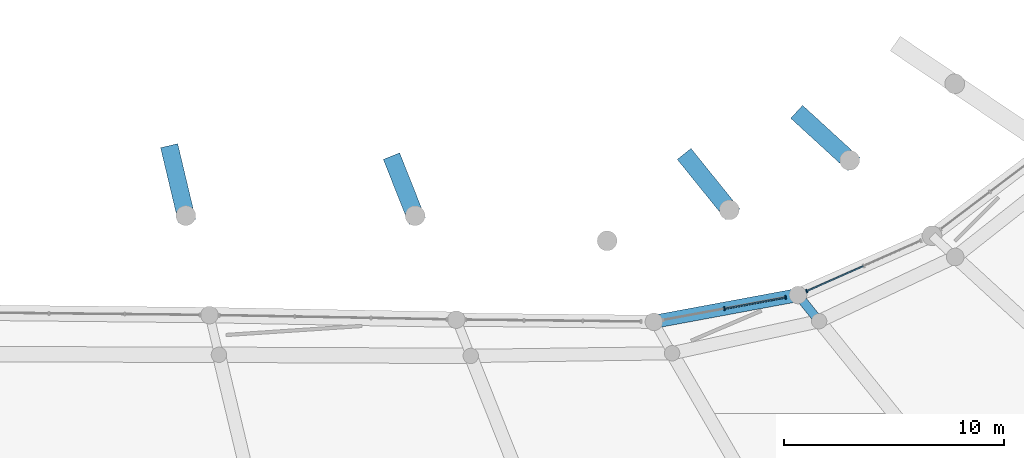
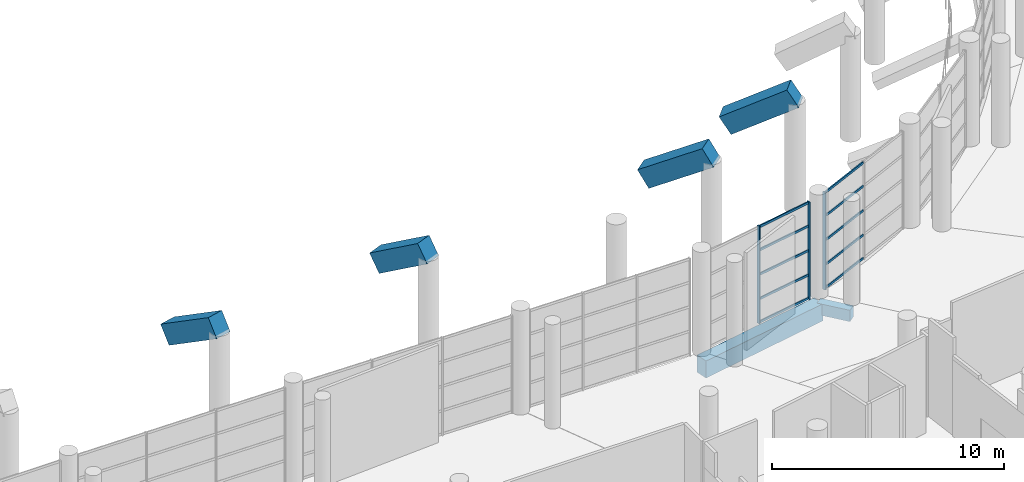
# One storey, part 45 of 271: 13 members, 6 beams, 2 elements without a shape of their own.
"""IFC4 building model written with IfcOpenShell, lengths in metres."""

from ifc_helpers import new_model, si_unit, direction, frame, origin, origin_2d, place, context, subcontext, project, spatial, rectangle, extrude, material, layer, layer_set, material_profile, profile_set, type_object, element, aggregate, save


model = new_model("IFC4")

# Units and contexts
model_context = context("Model", 3, precision=1e-05, world=origin(), true_north=direction((0.0, 1.0)))
body_context = subcontext(model_context, "Body", "Model", "MODEL_VIEW")
ifc_project = project(units=[si_unit("LENGTHUNIT", "METRE"), si_unit("AREAUNIT", "SQUARE_METRE"), si_unit("VOLUMEUNIT", "CUBIC_METRE"), si_unit("PLANEANGLEUNIT", "RADIAN"), si_unit("MASSUNIT", "GRAM", prefix="KILO")], contexts=[model_context])

# Site, building, storey
site_placement = place(None, origin())
site = spatial("IfcSite", under=ifc_project, at=site_placement, CompositionType="ELEMENT")
building_placement = place(site_placement, origin())
building = spatial("IfcBuilding", under=site, at=building_placement, Name="Meseta Stadium", CompositionType="ELEMENT")
storey_placement = place(building_placement, frame((0.0, 0.0, 6.5)))
storey = spatial("IfcBuildingStorey", under=building, at=storey_placement, Name="L01", CompositionType="ELEMENT", Elevation=6.5)

# Curtain wall, members
ifc_material_1 = material(Name="Aluminium", Category="aluminium")
ifc_layer = layer(ifc_material_1, 0.199951171875)
ifc_layer_set = layer_set([ifc_layer], Name="Club glazing curtain wall")
curtain_wall_type = type_object("IfcCurtainWallType", Name="Club glazing curtain wall", PredefinedType="NOTDEFINED", material=ifc_layer_set)
curtain_wall_1_placement = place(storey_placement, origin())
curtain_wall_1 = element("IfcCurtainWall", 1, at=curtain_wall_1_placement, inside=storey, type_object=curtain_wall_type, Name="Club glazing bay 50", PredefinedType="NOTDEFINED")
ifc_material_2 = material(Name="Aluminium", Category="aluminium")
ifc_material_profile_1 = material_profile(ifc_material_2, rectangle(XDim=0.159912109375, YDim=0.06005859375, at=origin_2d()), Name="CW 160x60")
ifc_profile_set_1 = profile_set([ifc_material_profile_1], Name="Aluminium")
member_type_1 = type_object("IfcMemberType", Name="CW mullion 60x160", PredefinedType="MULLION", material=ifc_profile_set_1)
member_1_placement = place(storey_placement, frame((40.087158203125, -75.23828125, 0.0), z_axis=(0.0, 0.0, 1.0), x_axis=(-0.182600324962, 0.983187225977, 0.0)))
member_1 = element("IfcMember", 2, at=member_1_placement, type_object=member_type_1, Name="CWC mullion 2", PredefinedType="MULLION", context=body_context, shape_type="SweptSolid", body=[
    extrude(rectangle(XDim=0.159912109375, YDim=0.06005859375, at=origin_2d()), origin(), (0.0, 0.0, 1.0), 5.14990234375),
])
member_2_placement = place(storey_placement, frame((42.86572265625, -74.722412109375, 0.0), z_axis=(0.0, 0.0, 1.0), x_axis=(-0.182600324962, 0.983187225977, 0.0)))
member_2 = element("IfcMember", 3, at=member_2_placement, type_object=member_type_1, Name="CWC mullion 3", PredefinedType="MULLION", context=body_context, shape_type="SweptSolid", body=[
    extrude(rectangle(XDim=0.159912109375, YDim=0.06005859375, at=origin_2d()), origin(), (0.0, 0.0, 1.0), 5.14990234375),
])

# Curtain wall, member
curtain_wall_2_placement = place(storey_placement, origin())
curtain_wall_2 = element("IfcCurtainWall", 4, at=curtain_wall_2_placement, inside=storey, type_object=curtain_wall_type, Name="Club glazing bay 51", PredefinedType="NOTDEFINED")
member_3_placement = place(storey_placement, frame((43.823486328125, -74.443603515625, 0.0), z_axis=(0.0, 0.0, 1.0), x_axis=(-0.40452428424, 0.914527256817, 0.0)))
member_3 = element("IfcMember", 5, at=member_3_placement, type_object=member_type_1, Name="CWC mullion 1", PredefinedType="MULLION", context=body_context, shape_type="SweptSolid", body=[
    extrude(rectangle(XDim=0.159912109375, YDim=0.06005859375, at=origin_2d()), origin(), (0.0, 0.0, 1.0), 5.14990234375),
])

# Member
ifc_material_3 = material(Name="Aluminium", Category="aluminium")
ifc_material_profile_2 = material_profile(ifc_material_3, rectangle(XDim=0.06005859375, YDim=0.1201171875, at=origin_2d()), Name="CW 60x120")
ifc_profile_set_2 = profile_set([ifc_material_profile_2], Name="Aluminium")
member_type_2 = type_object("IfcMemberType", Name="CW transom 60x120", PredefinedType="USERDEFINED", material=ifc_profile_set_2)
member_4_placement = place(storey_placement, frame((40.116455078125, -75.23291015625, 0.06005859375), z_axis=(0.983186472546, 0.182604381661, 0.0), x_axis=(-0.182604381661, 0.983186472546, 0.0)))
member_4 = element("IfcMember", 6, at=member_4_placement, type_object=member_type_2, Name="CWC transom 2.1", ObjectType="TRANSOM", PredefinedType="USERDEFINED", context=body_context, shape_type="SweptSolid", body=[
    extrude(rectangle(XDim=0.06005859375, YDim=0.1201171875, at=origin_2d()), origin(), (0.0, 0.0, 1.0), 2.766357421875),
])

member_5_placement = place(storey_placement, frame((40.116455078125, -75.23291015625, 1.28759765625), z_axis=(0.983186472546, 0.182604381661, 0.0), x_axis=(-0.182604381661, 0.983186472546, 0.0)))
member_5 = element("IfcMember", 7, at=member_5_placement, type_object=member_type_2, Name="CWC transom 2.2", ObjectType="TRANSOM", PredefinedType="USERDEFINED", context=body_context, shape_type="SweptSolid", body=[
    extrude(rectangle(XDim=0.06005859375, YDim=0.1201171875, at=origin_2d()), origin(), (0.0, 0.0, 1.0), 2.766357421875),
])

member_6_placement = place(storey_placement, frame((40.116455078125, -75.23291015625, 2.574951171875), z_axis=(0.983186472546, 0.182604381661, 0.0), x_axis=(-0.182604381661, 0.983186472546, 0.0)))
member_6 = element("IfcMember", 8, at=member_6_placement, type_object=member_type_2, Name="CWC transom 2.3", ObjectType="TRANSOM", PredefinedType="USERDEFINED", context=body_context, shape_type="SweptSolid", body=[
    extrude(rectangle(XDim=0.06005859375, YDim=0.1201171875, at=origin_2d()), origin(), (0.0, 0.0, 1.0), 2.766357421875),
])

member_7_placement = place(storey_placement, frame((40.116455078125, -75.23291015625, 3.862548828125), z_axis=(0.983186472546, 0.182604381661, 0.0), x_axis=(-0.182604381661, 0.983186472546, 0.0)))
member_7 = element("IfcMember", 9, at=member_7_placement, type_object=member_type_2, Name="CWC transom 2.4", ObjectType="TRANSOM", PredefinedType="USERDEFINED", context=body_context, shape_type="SweptSolid", body=[
    extrude(rectangle(XDim=0.06005859375, YDim=0.1201171875, at=origin_2d()), origin(), (0.0, 0.0, 1.0), 2.766357421875),
])

member_8_placement = place(storey_placement, frame((40.116455078125, -75.23291015625, 5.090087890625), z_axis=(0.983186472546, 0.182604381661, 0.0), x_axis=(-0.182604381661, 0.983186472546, 0.0)))
member_8 = element("IfcMember", 10, at=member_8_placement, type_object=member_type_2, Name="CWC transom 2.5", ObjectType="TRANSOM", PredefinedType="USERDEFINED", context=body_context, shape_type="SweptSolid", body=[
    extrude(rectangle(XDim=0.06005859375, YDim=0.1201171875, at=origin_2d()), origin(), (0.0, 0.0, 1.0), 2.766357421875),
])

aggregate(curtain_wall_1, [member_1, member_2, member_4, member_5, member_6, member_7, member_8])

member_9_placement = place(storey_placement, frame((43.850830078125, -74.431396484375, 0.06005859375), z_axis=(0.914545969516, 0.404481976905, 0.0), x_axis=(-0.404481976905, 0.914545969516, 0.0)))
member_9 = element("IfcMember", 11, at=member_9_placement, type_object=member_type_2, Name="CWC transom 1.1", ObjectType="TRANSOM", PredefinedType="USERDEFINED", context=body_context, shape_type="SweptSolid", body=[
    extrude(rectangle(XDim=0.06005859375, YDim=0.1201171875, at=origin_2d()), origin(), (0.0, 0.0, 1.0), 2.777099609375),
])

member_10_placement = place(storey_placement, frame((43.850830078125, -74.431396484375, 1.28759765625), z_axis=(0.914545969516, 0.404481976905, 0.0), x_axis=(-0.404481976905, 0.914545969516, 0.0)))
member_10 = element("IfcMember", 12, at=member_10_placement, type_object=member_type_2, Name="CWC transom 1.2", ObjectType="TRANSOM", PredefinedType="USERDEFINED", context=body_context, shape_type="SweptSolid", body=[
    extrude(rectangle(XDim=0.06005859375, YDim=0.1201171875, at=origin_2d()), origin(), (0.0, 0.0, 1.0), 2.777099609375),
])

member_11_placement = place(storey_placement, frame((43.850830078125, -74.431396484375, 2.574951171875), z_axis=(0.914545969516, 0.404481976905, 0.0), x_axis=(-0.404481976905, 0.914545969516, 0.0)))
member_11 = element("IfcMember", 13, at=member_11_placement, type_object=member_type_2, Name="CWC transom 1.3", ObjectType="TRANSOM", PredefinedType="USERDEFINED", context=body_context, shape_type="SweptSolid", body=[
    extrude(rectangle(XDim=0.06005859375, YDim=0.1201171875, at=origin_2d()), origin(), (0.0, 0.0, 1.0), 2.777099609375),
])

member_12_placement = place(storey_placement, frame((43.850830078125, -74.431396484375, 3.862548828125), z_axis=(0.914545969516, 0.404481976905, 0.0), x_axis=(-0.404481976905, 0.914545969516, 0.0)))
member_12 = element("IfcMember", 14, at=member_12_placement, type_object=member_type_2, Name="CWC transom 1.4", ObjectType="TRANSOM", PredefinedType="USERDEFINED", context=body_context, shape_type="SweptSolid", body=[
    extrude(rectangle(XDim=0.06005859375, YDim=0.1201171875, at=origin_2d()), origin(), (0.0, 0.0, 1.0), 2.777099609375),
])

member_13_placement = place(storey_placement, frame((43.850830078125, -74.431396484375, 5.090087890625), z_axis=(0.914545969516, 0.404481976905, 0.0), x_axis=(-0.404481976905, 0.914545969516, 0.0)))
member_13 = element("IfcMember", 15, at=member_13_placement, type_object=member_type_2, Name="CWC transom 1.5", ObjectType="TRANSOM", PredefinedType="USERDEFINED", context=body_context, shape_type="SweptSolid", body=[
    extrude(rectangle(XDim=0.06005859375, YDim=0.1201171875, at=origin_2d()), origin(), (0.0, 0.0, 1.0), 2.777099609375),
])

aggregate(curtain_wall_2, [member_3, member_9, member_10, member_11, member_12, member_13])

# Beams
ifc_material_4 = material(Name="Concrete C40/50", Category="concrete")
ifc_material_profile_3 = material_profile(ifc_material_4, rectangle(XDim=0.39990234375, YDim=0.60009765625, at=origin_2d()), Name="RC 400x600")
ifc_profile_set_3 = profile_set([ifc_material_profile_3], Name="Concrete C40/50")
beam_type_1 = type_object("IfcBeamType", Name="RC beam 400x600", PredefinedType="BEAM", material=ifc_profile_set_3)
beam_1_placement = place(storey_placement, frame((43.430419921875, -74.617431640625, -0.64990234375), z_axis=(0.628002290607, -0.778211489887, 0.0), x_axis=(0.778211489887, 0.628002290607, 0.0)))
element("IfcBeam", 16, at=beam_1_placement, inside=storey, type_object=beam_type_1, Name="L01 radial beam frame 51 line C to D", PredefinedType="BEAM", context=body_context, shape_type="SweptSolid", body=[
    extrude(rectangle(XDim=0.39990234375, YDim=0.60009765625, at=origin_2d()), origin(), (0.0, 0.0, 1.0), 1.52783203125),
])
ifc_material_5 = material(Name="Concrete C40/50", Category="concrete")
ifc_material_profile_4 = material_profile(ifc_material_5, rectangle(XDim=0.60009765625, YDim=0.89990234375, at=origin_2d()), Name="RC 600x900")
ifc_profile_set_4 = profile_set([ifc_material_profile_4], Name="Concrete C40/50")
beam_type_2 = type_object("IfcBeamType", Name="RC beam 600x900", PredefinedType="BEAM", material=ifc_profile_set_4)
beam_2_placement = place(storey_placement, frame((36.885986328125, -75.8330078125, -0.800048828125), z_axis=(0.983183844392, 0.182618531718, 0.0), x_axis=(-0.182618531718, 0.983183844392, 0.0)))
element("IfcBeam", 17, at=beam_2_placement, inside=storey, type_object=beam_type_2, Name="L01 ring beam frame 50 line C", PredefinedType="BEAM", context=body_context, shape_type="SweptSolid", body=[
    extrude(rectangle(XDim=0.60009765625, YDim=0.89990234375, at=origin_2d()), origin(), (0.0, 0.0, 1.0), 6.65625),
])
ifc_material_6 = material(Name="Concrete C40/50", Category="concrete")
ifc_material_profile_5 = material_profile(ifc_material_6, rectangle(XDim=0.800048828125, YDim=1.0, at=origin_2d()), Name="RC 800x1000")
ifc_profile_set_5 = profile_set([ifc_material_profile_5], Name="Concrete C40/50")
beam_type_3 = type_object("IfcBeamType", Name="RC raker upper front 800x1000", PredefinedType="USERDEFINED", material=ifc_profile_set_5)
beam_3_placement = place(storey_placement, frame((14.92626953125, -68.09033203125, 4.0654296875), z_axis=(0.196559900725, -0.825606835303, 0.528902220574), x_axis=(0.972809707254, 0.231605858026, 0.0)))
element("IfcBeam", 18, at=beam_3_placement, inside=storey, type_object=beam_type_3, Name="Raker upper front frame 48 upper tier", ObjectType="RAKER", PredefinedType="USERDEFINED", context=body_context, shape_type="SweptSolid", body=[
    extrude(rectangle(XDim=0.800048828125, YDim=1.0, at=origin_2d()), origin(), (0.0, 0.0, 1.0), 3.534912109375),
])
beam_4_placement = place(storey_placement, frame((25.060791015625, -68.552978515625, 4.59375), z_axis=(0.313018455476, -0.788765825572, 0.529025442622), x_axis=(0.929484188921, 0.368861955948, 0.0)))
element("IfcBeam", 19, at=beam_4_placement, inside=storey, type_object=beam_type_3, Name="Raker upper front frame 49 upper tier", ObjectType="RAKER", PredefinedType="USERDEFINED", context=body_context, shape_type="SweptSolid", body=[
    extrude(rectangle(XDim=0.800048828125, YDim=1.0, at=origin_2d()), origin(), (0.0, 0.0, 1.0), 3.12060546875),
])
for number, where, z_axis, x_axis, name in (
    (20, (38.423583984375, -68.41357421875, 4.3076171875), (0.533019874974, -0.660439111736, 0.528876159958), (0.778178252759, 0.628043475352, 0.0), "Raker upper front frame 51 upper tier"),
    (21, (43.564208984375, -66.47412109375, 4.15869140625), (0.625964604267, -0.572995181112, 0.529003626289), (0.675208545537, 0.737626884024, 0.0), "Raker upper front frame 52 upper tier"),
):
    element("IfcBeam", number, at=place(storey_placement, frame(where, z_axis=z_axis, x_axis=x_axis)), inside=storey, type_object=beam_type_3, Name=name, ObjectType="RAKER", PredefinedType="USERDEFINED", context=body_context, shape_type="SweptSolid", body=[
        extrude(rectangle(XDim=0.800048828125, YDim=1.0, at=origin_2d()), origin(), (0.0, 0.0, 1.0), 3.53515625),
    ])

save(model, "model.ifc")
